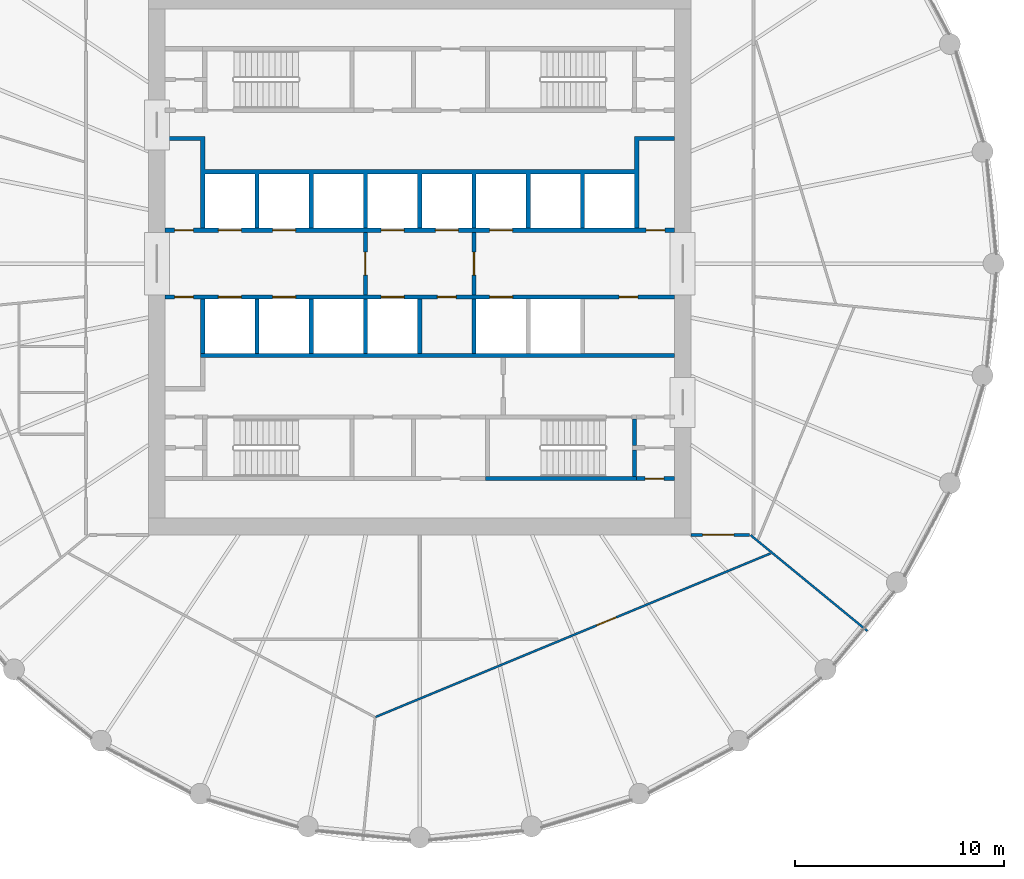
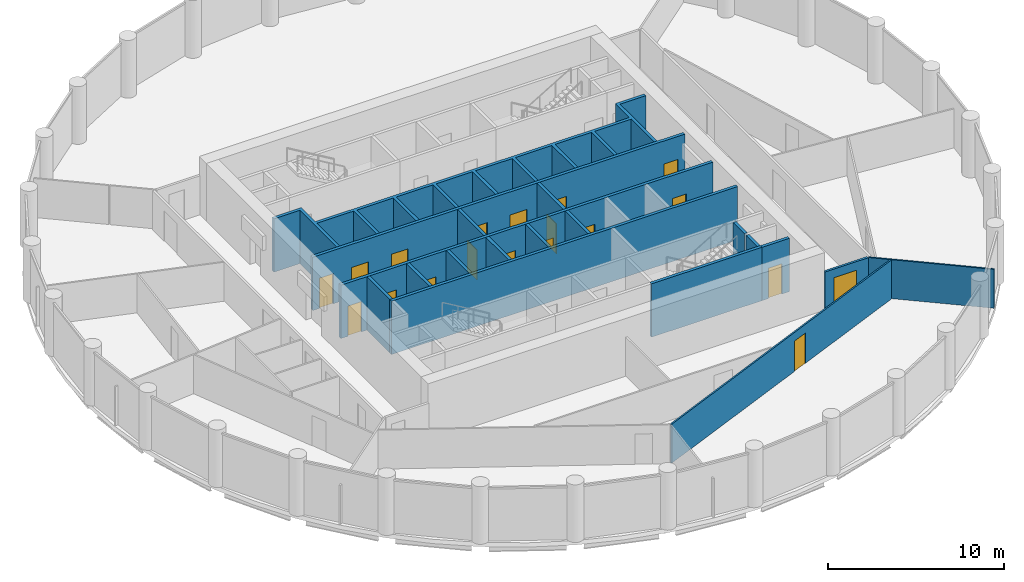
# One storey, part 5 of 8: 19 doors, 19 walls, 19 openings.
"""IFC4 building model written with IfcOpenShell, lengths in metres."""

import ifcopenshell
import ifcopenshell.guid

model = None  # the IFC model being written
_history = None  # IfcOwnerHistory: only IFC2X3 demands one
_inside = {}  # id of a spatial element -> (the spatial element, [elements in it])
_under = {}  # id of a project, library or spatial element -> (it, [spatial elements below it])
_declared = {}  # id of a project -> (the project, [libraries it declares])
_typed = {}  # id of a type object -> (the type object, [elements of that type])
_made_of = {}  # id of a material, layer set ... -> (it, [elements and type objects made of it])


def new_model(schema):
    """Start an empty IFC model of exactly this schema.

    Asked for "IFC4X3", IfcOpenShell would pick the latest addendum, in which some entities
    have other attributes; the version numbers below select the first issue.
    IFC2X3 requires an IfcOwnerHistory on every rooted entity: one is made here for all.
    """
    global model, _history
    if schema == "IFC4X3":
        model = ifcopenshell.file(schema_version=(4, 3, 0, 0))
    else:
        model = ifcopenshell.file(schema=schema)
    _inside.clear()
    _under.clear()
    _declared.clear()
    _typed.clear()
    _made_of.clear()
    _history = None
    if model.schema == "IFC2X3":
        org = make("IfcOrganization", Name="unknown")
        user = make(
            "IfcPersonAndOrganization",
            ThePerson=make("IfcPerson", FamilyName="unknown"),
            TheOrganization=org,
        )
        app = make(
            "IfcApplication",
            ApplicationDeveloper=org,
            Version="unknown",
            ApplicationFullName="unknown",
            ApplicationIdentifier="unknown",
        )
        _history = make(
            "IfcOwnerHistory",
            OwningUser=user,
            OwningApplication=app,
            ChangeAction="ADDED",
            CreationDate=0,
        )
    return model


def make(cls, **values):
    """One entity of the class cls with the attributes given. An attribute that is None is left unset."""
    return model.create_entity(
        cls, **{name: value for name, value in values.items() if value is not None}
    )


def rooted(cls, **values):
    """An entity with a GlobalId (a new one), such as an element, a storey or a relation."""
    return make(cls, GlobalId=ifcopenshell.guid.new(), OwnerHistory=_history, **values)


def si_unit(unit_type, name, prefix=None):
    """IfcSIUnit, for example si_unit("LENGTHUNIT", "METRE", prefix="MILLI")."""
    return make("IfcSIUnit", UnitType=unit_type, Prefix=prefix, Name=name)


def assignment(units):
    """IfcUnitAssignment: the units of a project."""
    return None if units is None else make("IfcUnitAssignment", Units=units)


def point(xyz):
    """IfcCartesianPoint."""
    return None if xyz is None else make("IfcCartesianPoint", Coordinates=xyz)


def direction(xyz):
    """IfcDirection."""
    return None if xyz is None else make("IfcDirection", DirectionRatios=xyz)


def frame(location, z_axis=None, x_axis=None):
    """IfcAxis2Placement3D, a coordinate frame: its origin and axes. An axis left out is left unset."""
    return make(
        "IfcAxis2Placement3D",
        Location=point(location),
        Axis=direction(z_axis),
        RefDirection=direction(x_axis),
    )


def frame_2d(location, x_axis=None):
    """IfcAxis2Placement2D, a coordinate frame in the plane: its origin and x axis."""
    return make(
        "IfcAxis2Placement2D", Location=point(location), RefDirection=direction(x_axis)
    )


def origin():
    """The frame at (0, 0, 0) with its axes left unset."""
    return frame((0.0, 0.0, 0.0))


def place(relative_to, where):
    """IfcLocalPlacement: puts the frame where relative to a parent placement (None: the world)."""
    return make(
        "IfcLocalPlacement", PlacementRelTo=relative_to, RelativePlacement=where
    )


def context(
    kind, dimensions, precision=None, world=None, true_north=None, identifier=None
):
    """IfcGeometricRepresentationContext, for example the 3D "Model" context."""
    return make(
        "IfcGeometricRepresentationContext",
        ContextIdentifier=identifier,
        ContextType=kind,
        CoordinateSpaceDimension=dimensions,
        Precision=precision,
        WorldCoordinateSystem=world,
        TrueNorth=true_north,
    )


def subcontext(parent, identifier, kind, view, scale=None):
    """IfcGeometricRepresentationSubContext, for example "Body" below "Model"."""
    return make(
        "IfcGeometricRepresentationSubContext",
        ContextIdentifier=identifier,
        ContextType=kind,
        ParentContext=parent,
        TargetScale=scale,
        TargetView=view,
    )


def project(units=None, contexts=None):
    """IfcProject with its units and contexts."""
    return rooted(
        "IfcProject",
        Name="project",
        RepresentationContexts=contexts,
        UnitsInContext=assignment(units),
    )


def spatial(cls, under=None, at=None, **own):
    """A site, building, storey or space (cls), placed at a placement, below another one or the project."""
    s = rooted(cls, ObjectPlacement=at, **own)
    if under is not None:
        _under.setdefault(under.id(), (under, []))[1].append(s)
    return s


def polyline(points):
    """IfcPolyline through the points."""
    return make("IfcPolyline", Points=[point(p) for p in points])


def profile(cls, at=None, kind="AREA", **sizes):
    """A parametric profile (cls). Its sizes go by their IFC names, for example OverallWidth=200.0."""
    return make(cls, ProfileType=kind, Position=at, **sizes)


def rectangle(**sizes):
    """IfcRectangleProfileDef."""
    return profile("IfcRectangleProfileDef", **sizes)


def outline(outer, holes=None, kind="AREA"):
    """IfcArbitraryClosedProfileDef: a profile drawn as a closed curve; with holes, ...WithVoids."""
    if holes is None:
        return make("IfcArbitraryClosedProfileDef", ProfileType=kind, OuterCurve=outer)
    return make(
        "IfcArbitraryProfileDefWithVoids",
        ProfileType=kind,
        OuterCurve=outer,
        InnerCurves=holes,
    )


def extrude(swept, where, along, depth):
    """IfcExtrudedAreaSolid: the profile swept, set in the frame where, extruded along a direction by depth."""
    return make(
        "IfcExtrudedAreaSolid",
        SweptArea=swept,
        Position=where,
        ExtrudedDirection=direction(along),
        Depth=depth,
    )


def shape(context_of_items, identifier, shape_type, items):
    """IfcShapeRepresentation: the items that make up one representation, for example the "Body"."""
    return make(
        "IfcShapeRepresentation",
        ContextOfItems=context_of_items,
        RepresentationIdentifier=identifier,
        RepresentationType=shape_type,
        Items=items,
    )


def material(Name=None, Category=None):
    """IfcMaterial."""
    return make("IfcMaterial", Name=Name, Category=Category)


def layer(
    of_material, thickness, ventilated=None, Name=None, Category=None, Priority=None
):
    """IfcMaterialLayer: one layer of a wall or slab, of a material (None: an air gap)."""
    return make(
        "IfcMaterialLayer",
        Material=of_material,
        LayerThickness=thickness,
        IsVentilated=ventilated,
        Name=Name,
        Category=Category,
        Priority=Priority,
    )


def layer_set(layers, Name=None):
    """IfcMaterialLayerSet."""
    return make("IfcMaterialLayerSet", MaterialLayers=layers, LayerSetName=Name)


def made_of(thing, what):
    """Note that an element or type object is made of a material, layer set ...; save() writes the relation."""
    if what is not None:
        _made_of.setdefault(what.id(), (what, []))[1].append(thing)
    return thing


def type_object(cls, material=None, **own):
    """A type object (cls), such as IfcWallType, which elements share."""
    return made_of(rooted(cls, **own), material)


def element(
    cls,
    number,
    at=None,
    inside=None,
    cuts=None,
    type_object=None,
    material=None,
    context=None,
    identifier="Body",
    shape_type=None,
    held_by="IfcProductDefinitionShape",
    body=None,
    shapes=None,
    **own,
):
    """One element of the class cls, such as IfcWall. Its Tag is "e" and its number.

    at: its placement. inside: the storey or other place that contains it. cuts: it is an
    opening in that element (IfcRelVoidsElement). A single representation is given by context,
    identifier, shape_type and body (its items); several are given by shapes. held_by: the class
    of the entity that holds the representations. save() writes the other relations.
    """
    e = rooted(cls, Tag="e%d" % number, ObjectPlacement=at, **own)
    if body is not None:
        shapes = [shape(context, identifier, shape_type, body)]
    if shapes is not None:
        e.Representation = make(held_by, Representations=shapes)
    if inside is not None:
        _inside.setdefault(inside.id(), (inside, []))[1].append(e)
    if cuts is not None:
        rooted(
            "IfcRelVoidsElement", RelatingBuildingElement=cuts, RelatedOpeningElement=e
        )
    if type_object is not None:
        _typed.setdefault(type_object.id(), (type_object, []))[1].append(e)
    return made_of(e, material)


def fill(opening, filler):
    """IfcRelFillsElement: the door or window that sits in an opening."""
    return rooted(
        "IfcRelFillsElement",
        RelatingOpeningElement=opening,
        RelatedBuildingElement=filler,
    )


def aggregate(whole, parts):
    """IfcRelAggregates: a whole, such as a stair, and the parts it consists of."""
    return rooted("IfcRelAggregates", RelatingObject=whole, RelatedObjects=parts)


def save(model, path):
    """Write the relations noted so far, then the file.

    IfcRelAggregates (storeys below a building ...), IfcRelContainedInSpatialStructure (elements
    in a storey), IfcRelDefinesByType, IfcRelAssociatesMaterial and IfcRelDeclares: one each for
    every whole, place, type object, material and project.
    """
    for whole, parts in _under.values():
        aggregate(whole, parts)
    for where, things in _inside.values():
        rooted(
            "IfcRelContainedInSpatialStructure",
            RelatedElements=things,
            RelatingStructure=where,
        )
    for kind, things in _typed.values():
        rooted("IfcRelDefinesByType", RelatedObjects=things, RelatingType=kind)
    for what, things in _made_of.values():
        rooted("IfcRelAssociatesMaterial", RelatedObjects=things, RelatingMaterial=what)
    for by, libraries in _declared.values():
        rooted("IfcRelDeclares", RelatingContext=by, RelatedDefinitions=libraries)
    model.write(path)


model = new_model("IFC4")

# Units and contexts
model_context = context("Model", 3, precision=1e-05, world=origin(), true_north=direction((0.0, 1.0)))
body_context = subcontext(model_context, "Body", "Model", "MODEL_VIEW")
ifc_project = project(units=[si_unit("LENGTHUNIT", "METRE"), si_unit("AREAUNIT", "SQUARE_METRE"), si_unit("VOLUMEUNIT", "CUBIC_METRE"), si_unit("PLANEANGLEUNIT", "RADIAN"), si_unit("MASSUNIT", "GRAM", prefix="KILO")], contexts=[model_context])

# Site, building, storey
site_placement = place(None, origin())
site = spatial("IfcSite", under=ifc_project, at=site_placement, CompositionType="ELEMENT")
building_placement = place(site_placement, origin())
building = spatial("IfcBuilding", under=site, at=building_placement, Name="Corvane Civic Tower", CompositionType="ELEMENT")
storey_placement = place(building_placement, frame((0.0, 0.0, 229.5)))
storey = spatial("IfcBuildingStorey", under=building, at=storey_placement, Name="L54", CompositionType="ELEMENT", Elevation=229.5)

# Wall, opening, door
ifc_material_1 = material(Name="Concrete C30/37", Category="concrete")
ifc_layer_1 = layer(ifc_material_1, 0.199951171875)
ifc_layer_set_1 = layer_set([ifc_layer_1], Name="Concrete C30/37")
wall_type_1 = type_object("IfcWallType", Name="CR-WALL-200", PredefinedType="PARTITIONING", material=ifc_layer_set_1)
wall_1_placement = place(storey_placement, frame((10.39990234375, -10.300048828125, 0.0), z_axis=(0.0, 0.0, 1.0), x_axis=(1.0, 0.0, 0.0)))
wall_1 = element("IfcWall", 1, at=wall_1_placement, inside=storey, type_object=wall_type_1, Name="L54 partition wall", PredefinedType="PARTITIONING", context=body_context, shape_type="SweptSolid", body=[
    extrude(rectangle(XDim=1.800048828125, YDim=0.199951171875, at=frame_2d((0.89990234375, 0.0))), origin(), (0.0, 0.0, 1.0), 3.699951171875),
])
opening_1_placement = place(wall_1_placement, frame((0.39990234375, 0.0, 0.0)))
opening_1 = element("IfcOpeningElement", 2, at=opening_1_placement, cuts=wall_1, Name="Opening L54.C21", PredefinedType="OPENING", context=body_context, shape_type="SweptSolid", body=[
    extrude(rectangle(XDim=0.89990234375, YDim=2.10009765625, at=frame_2d((0.449951171875, 1.050048828125))), frame((0.0, 0.10986328125, 0.0), z_axis=(0.0, -1.0, 0.0), x_axis=(1.0, 0.0, 0.0)), (0.0, 0.0, 1.0), 0.219970703125),
])
ifc_material_2 = material(Name="Steel fire door leaf", Category="steel")
door_type_1 = type_object("IfcDoorType", Name="CR-DOOR-900", OperationType="SINGLE_SWING_LEFT", PredefinedType="DOOR", material=ifc_material_2)
door_1_placement = place(opening_1_placement, origin())
door_1 = element("IfcDoor", 3, at=door_1_placement, inside=storey, type_object=door_type_1, Name="L54 door", OperationType="SINGLE_SWING_LEFT", OverallHeight=2.10009765625, OverallWidth=0.89990234375, PredefinedType="DOOR", context=body_context, shape_type="SweptSolid", body=[
    extrude(rectangle(XDim=0.89990234375, YDim=2.10009765625, at=frame_2d((0.449951171875, 1.050048828125))), frame((0.0, 0.02490234375, 0.0), z_axis=(0.0, -1.0, 0.0), x_axis=(1.0, 0.0, 0.0)), (0.0, 0.0, 1.0), 0.050048828125),
])
fill(opening_1, door_1)

# Wall, openings, doors
wall_2_placement = place(storey_placement, frame((-12.199951171875, -1.60009765625, 0.0), z_axis=(0.0, 0.0, 1.0), x_axis=(1.0, 0.0, 0.0)))
wall_2 = element("IfcWall", 4, at=wall_2_placement, inside=storey, type_object=wall_type_1, Name="L54 lift shaft wall", PredefinedType="PARTITIONING", context=body_context, shape_type="SweptSolid", body=[
    extrude(rectangle(XDim=24.39990234375, YDim=0.199951171875, at=frame_2d((12.199951171875, 0.0))), origin(), (0.0, 0.0, 1.0), 3.699951171875),
])
opening_2_placement = place(wall_2_placement, frame((2.550048828125, 0.0, 0.0)))
opening_2 = element("IfcOpeningElement", 5, at=opening_2_placement, cuts=wall_2, Name="Opening LD", PredefinedType="OPENING", context=body_context, shape_type="SweptSolid", body=[
    extrude(rectangle(XDim=1.10009765625, YDim=2.10009765625, at=frame_2d((0.550048828125, 1.050048828125))), frame((0.0, 0.10986328125, 0.0), z_axis=(0.0, -1.0, 0.0), x_axis=(1.0, 0.0, 0.0)), (0.0, 0.0, 1.0), 0.219970703125),
])
opening_3_placement = place(wall_2_placement, frame((5.14990234375, 0.0, 0.0)))
opening_3 = element("IfcOpeningElement", 6, at=opening_3_placement, cuts=wall_2, Name="Opening LD", PredefinedType="OPENING", context=body_context, shape_type="SweptSolid", body=[
    extrude(rectangle(XDim=1.10009765625, YDim=2.10009765625, at=frame_2d((0.550048828125, 1.050048828125))), frame((0.0, 0.10986328125, 0.0), z_axis=(0.0, -1.0, 0.0), x_axis=(1.0, 0.0, 0.0)), (0.0, 0.0, 1.0), 0.219970703125),
])
opening_4_placement = place(wall_2_placement, frame((10.35009765625, 0.0, 0.0)))
opening_4 = element("IfcOpeningElement", 7, at=opening_4_placement, cuts=wall_2, Name="Opening LD", PredefinedType="OPENING", context=body_context, shape_type="SweptSolid", body=[
    extrude(rectangle(XDim=1.10009765625, YDim=2.10009765625, at=frame_2d((0.550048828125, 1.050048828125))), frame((0.0, 0.10986328125, 0.0), z_axis=(0.0, -1.0, 0.0), x_axis=(1.0, 0.0, 0.0)), (0.0, 0.0, 1.0), 0.219970703125),
])
opening_5_placement = place(wall_2_placement, frame((13.050048828125, 0.0, 0.0)))
opening_5 = element("IfcOpeningElement", 8, at=opening_5_placement, cuts=wall_2, Name="Opening L54.C03", PredefinedType="OPENING", context=body_context, shape_type="SweptSolid", body=[
    extrude(rectangle(XDim=0.89990234375, YDim=2.10009765625, at=frame_2d((0.449951171875, 1.050048828125))), frame((0.0, 0.10986328125, 0.0), z_axis=(0.0, -1.0, 0.0), x_axis=(1.0, 0.0, 0.0)), (0.0, 0.0, 1.0), 0.219970703125),
])
opening_6_placement = place(wall_2_placement, frame((15.550048828125, 0.0, 0.0)))
opening_6 = element("IfcOpeningElement", 9, at=opening_6_placement, cuts=wall_2, Name="Opening LD", PredefinedType="OPENING", context=body_context, shape_type="SweptSolid", body=[
    extrude(rectangle(XDim=1.10009765625, YDim=2.10009765625, at=frame_2d((0.550048828125, 1.050048828125))), frame((0.0, 0.10986328125, 0.0), z_axis=(0.0, -1.0, 0.0), x_axis=(1.0, 0.0, 0.0)), (0.0, 0.0, 1.0), 0.219970703125),
])
opening_7_placement = place(wall_2_placement, frame((0.449951171875, 0.0, 0.0)))
opening_7 = element("IfcOpeningElement", 10, at=opening_7_placement, cuts=wall_2, Name="Opening L54.C04", PredefinedType="OPENING", context=body_context, shape_type="SweptSolid", body=[
    extrude(rectangle(XDim=0.89990234375, YDim=2.10009765625, at=frame_2d((0.449951171875, 1.050048828125))), frame((0.0, 0.10986328125, 0.0), z_axis=(0.0, -1.0, 0.0), x_axis=(1.0, 0.0, 0.0)), (0.0, 0.0, 1.0), 0.219970703125),
])
opening_8_placement = place(wall_2_placement, frame((21.75, 0.0, 0.0)))
opening_8 = element("IfcOpeningElement", 11, at=opening_8_placement, cuts=wall_2, Name="Opening L54.C05", PredefinedType="OPENING", context=body_context, shape_type="SweptSolid", body=[
    extrude(rectangle(XDim=0.89990234375, YDim=2.10009765625, at=frame_2d((0.449951171875, 1.050048828125))), frame((0.0, 0.10986328125, 0.0), z_axis=(0.0, -1.0, 0.0), x_axis=(1.0, 0.0, 0.0)), (0.0, 0.0, 1.0), 0.219970703125),
])
door_2_placement = place(opening_5_placement, origin())
door_2 = element("IfcDoor", 12, at=door_2_placement, inside=storey, type_object=door_type_1, Name="L54 door", OperationType="SINGLE_SWING_LEFT", OverallHeight=2.10009765625, OverallWidth=0.89990234375, PredefinedType="DOOR", context=body_context, shape_type="SweptSolid", body=[
    extrude(rectangle(XDim=0.89990234375, YDim=2.10009765625, at=frame_2d((0.449951171875, 1.050048828125))), frame((0.0, 0.02490234375, 0.0), z_axis=(0.0, -1.0, 0.0), x_axis=(1.0, 0.0, 0.0)), (0.0, 0.0, 1.0), 0.050048828125),
])
fill(opening_5, door_2)
door_3_placement = place(opening_7_placement, origin())
door_3 = element("IfcDoor", 13, at=door_3_placement, inside=storey, type_object=door_type_1, Name="L54 door", OperationType="SINGLE_SWING_LEFT", OverallHeight=2.10009765625, OverallWidth=0.89990234375, PredefinedType="DOOR", context=body_context, shape_type="SweptSolid", body=[
    extrude(rectangle(XDim=0.89990234375, YDim=2.10009765625, at=frame_2d((0.449951171875, 1.050048828125))), frame((0.0, 0.02490234375, 0.0), z_axis=(0.0, -1.0, 0.0), x_axis=(1.0, 0.0, 0.0)), (0.0, 0.0, 1.0), 0.050048828125),
])
fill(opening_7, door_3)
door_4_placement = place(opening_8_placement, origin())
door_4 = element("IfcDoor", 14, at=door_4_placement, inside=storey, type_object=door_type_1, Name="L54 door", OperationType="SINGLE_SWING_LEFT", OverallHeight=2.10009765625, OverallWidth=0.89990234375, PredefinedType="DOOR", context=body_context, shape_type="SweptSolid", body=[
    extrude(rectangle(XDim=0.89990234375, YDim=2.10009765625, at=frame_2d((0.449951171875, 1.050048828125))), frame((0.0, 0.02490234375, 0.0), z_axis=(0.0, -1.0, 0.0), x_axis=(1.0, 0.0, 0.0)), (0.0, 0.0, 1.0), 0.050048828125),
])
fill(opening_8, door_4)
ifc_material_3 = material(Name="Stainless steel 316 door leaves", Category="steel")
door_type_2 = type_object("IfcDoorType", Name="LD", OperationType="DOUBLE_DOOR_SLIDING", PredefinedType="DOOR", material=ifc_material_3)
door_5_placement = place(opening_2_placement, origin())
door_5 = element("IfcDoor", 15, at=door_5_placement, inside=storey, type_object=door_type_2, Name="L54 landing door", OperationType="DOUBLE_DOOR_SLIDING", OverallHeight=2.10009765625, OverallWidth=1.10009765625, PredefinedType="DOOR", context=body_context, shape_type="SweptSolid", body=[
    extrude(rectangle(XDim=1.10009765625, YDim=2.10009765625, at=frame_2d((0.550048828125, 1.050048828125))), frame((0.0, 0.02490234375, 0.0), z_axis=(0.0, -1.0, 0.0), x_axis=(1.0, 0.0, 0.0)), (0.0, 0.0, 1.0), 0.050048828125),
])
fill(opening_2, door_5)
door_6_placement = place(opening_3_placement, origin())
door_6 = element("IfcDoor", 16, at=door_6_placement, inside=storey, type_object=door_type_2, Name="L54 landing door", OperationType="DOUBLE_DOOR_SLIDING", OverallHeight=2.10009765625, OverallWidth=1.10009765625, PredefinedType="DOOR", context=body_context, shape_type="SweptSolid", body=[
    extrude(rectangle(XDim=1.10009765625, YDim=2.10009765625, at=frame_2d((0.550048828125, 1.050048828125))), frame((0.0, 0.02490234375, 0.0), z_axis=(0.0, -1.0, 0.0), x_axis=(1.0, 0.0, 0.0)), (0.0, 0.0, 1.0), 0.050048828125),
])
fill(opening_3, door_6)
door_7_placement = place(opening_4_placement, origin())
door_7 = element("IfcDoor", 17, at=door_7_placement, inside=storey, type_object=door_type_2, Name="L54 landing door", OperationType="DOUBLE_DOOR_SLIDING", OverallHeight=2.10009765625, OverallWidth=1.10009765625, PredefinedType="DOOR", context=body_context, shape_type="SweptSolid", body=[
    extrude(rectangle(XDim=1.10009765625, YDim=2.10009765625, at=frame_2d((0.550048828125, 1.050048828125))), frame((0.0, 0.02490234375, 0.0), z_axis=(0.0, -1.0, 0.0), x_axis=(1.0, 0.0, 0.0)), (0.0, 0.0, 1.0), 0.050048828125),
])
fill(opening_4, door_7)
door_8_placement = place(opening_6_placement, origin())
door_8 = element("IfcDoor", 18, at=door_8_placement, inside=storey, type_object=door_type_2, Name="L54 landing door", OperationType="DOUBLE_DOOR_SLIDING", OverallHeight=2.10009765625, OverallWidth=1.10009765625, PredefinedType="DOOR", context=body_context, shape_type="SweptSolid", body=[
    extrude(rectangle(XDim=1.10009765625, YDim=2.10009765625, at=frame_2d((0.550048828125, 1.050048828125))), frame((0.0, 0.02490234375, 0.0), z_axis=(0.0, -1.0, 0.0), x_axis=(1.0, 0.0, 0.0)), (0.0, 0.0, 1.0), 0.050048828125),
])
fill(opening_6, door_8)

wall_3_placement = place(storey_placement, frame((-12.199951171875, 1.60009765625, 0.0), z_axis=(0.0, 0.0, 1.0), x_axis=(1.0, 0.0, 0.0)))
wall_3 = element("IfcWall", 19, at=wall_3_placement, inside=storey, type_object=wall_type_1, Name="L54 lift shaft wall", PredefinedType="PARTITIONING", context=body_context, shape_type="SweptSolid", body=[
    extrude(rectangle(XDim=24.39990234375, YDim=0.199951171875, at=frame_2d((12.199951171875, 0.0))), origin(), (0.0, 0.0, 1.0), 3.699951171875),
])
opening_9_placement = place(wall_3_placement, frame((2.550048828125, 0.0, 0.0)))
opening_9 = element("IfcOpeningElement", 20, at=opening_9_placement, cuts=wall_3, Name="Opening LD", PredefinedType="OPENING", context=body_context, shape_type="SweptSolid", body=[
    extrude(rectangle(XDim=1.10009765625, YDim=2.10009765625, at=frame_2d((0.550048828125, 1.050048828125))), frame((0.0, 0.10986328125, 0.0), z_axis=(0.0, -1.0, 0.0), x_axis=(1.0, 0.0, 0.0)), (0.0, 0.0, 1.0), 0.219970703125),
])
opening_10_placement = place(wall_3_placement, frame((5.14990234375, 0.0, 0.0)))
opening_10 = element("IfcOpeningElement", 21, at=opening_10_placement, cuts=wall_3, Name="Opening LD", PredefinedType="OPENING", context=body_context, shape_type="SweptSolid", body=[
    extrude(rectangle(XDim=1.10009765625, YDim=2.10009765625, at=frame_2d((0.550048828125, 1.050048828125))), frame((0.0, 0.10986328125, 0.0), z_axis=(0.0, -1.0, 0.0), x_axis=(1.0, 0.0, 0.0)), (0.0, 0.0, 1.0), 0.219970703125),
])
opening_11_placement = place(wall_3_placement, frame((10.35009765625, 0.0, 0.0)))
opening_11 = element("IfcOpeningElement", 22, at=opening_11_placement, cuts=wall_3, Name="Opening LD", PredefinedType="OPENING", context=body_context, shape_type="SweptSolid", body=[
    extrude(rectangle(XDim=1.10009765625, YDim=2.10009765625, at=frame_2d((0.550048828125, 1.050048828125))), frame((0.0, 0.10986328125, 0.0), z_axis=(0.0, -1.0, 0.0), x_axis=(1.0, 0.0, 0.0)), (0.0, 0.0, 1.0), 0.219970703125),
])
opening_12_placement = place(wall_3_placement, frame((12.949951171875, 0.0, 0.0)))
opening_12 = element("IfcOpeningElement", 23, at=opening_12_placement, cuts=wall_3, Name="Opening LD", PredefinedType="OPENING", context=body_context, shape_type="SweptSolid", body=[
    extrude(rectangle(XDim=1.10009765625, YDim=2.10009765625, at=frame_2d((0.550048828125, 1.050048828125))), frame((0.0, 0.10986328125, 0.0), z_axis=(0.0, -1.0, 0.0), x_axis=(1.0, 0.0, 0.0)), (0.0, 0.0, 1.0), 0.219970703125),
])
opening_13_placement = place(wall_3_placement, frame((15.550048828125, 0.0, 0.0)))
opening_13 = element("IfcOpeningElement", 24, at=opening_13_placement, cuts=wall_3, Name="Opening LD", PredefinedType="OPENING", context=body_context, shape_type="SweptSolid", body=[
    extrude(rectangle(XDim=1.10009765625, YDim=2.10009765625, at=frame_2d((0.550048828125, 1.050048828125))), frame((0.0, 0.10986328125, 0.0), z_axis=(0.0, -1.0, 0.0), x_axis=(1.0, 0.0, 0.0)), (0.0, 0.0, 1.0), 0.219970703125),
])
opening_14_placement = place(wall_3_placement, frame((0.449951171875, 0.0, 0.0)))
opening_14 = element("IfcOpeningElement", 25, at=opening_14_placement, cuts=wall_3, Name="Opening L54.C01", PredefinedType="OPENING", context=body_context, shape_type="SweptSolid", body=[
    extrude(rectangle(XDim=0.89990234375, YDim=2.10009765625, at=frame_2d((0.449951171875, 1.050048828125))), frame((0.0, 0.10986328125, 0.0), z_axis=(0.0, -1.0, 0.0), x_axis=(1.0, 0.0, 0.0)), (0.0, 0.0, 1.0), 0.219970703125),
])
opening_15_placement = place(wall_3_placement, frame((23.050048828125, 0.0, 0.0)))
opening_15 = element("IfcOpeningElement", 26, at=opening_15_placement, cuts=wall_3, Name="Opening L54.C02", PredefinedType="OPENING", context=body_context, shape_type="SweptSolid", body=[
    extrude(rectangle(XDim=0.89990234375, YDim=2.10009765625, at=frame_2d((0.449951171875, 1.050048828125))), frame((0.0, 0.10986328125, 0.0), z_axis=(0.0, -1.0, 0.0), x_axis=(1.0, 0.0, 0.0)), (0.0, 0.0, 1.0), 0.219970703125),
])
door_9_placement = place(opening_14_placement, origin())
door_9 = element("IfcDoor", 27, at=door_9_placement, inside=storey, type_object=door_type_1, Name="L54 door", OperationType="SINGLE_SWING_LEFT", OverallHeight=2.10009765625, OverallWidth=0.89990234375, PredefinedType="DOOR", context=body_context, shape_type="SweptSolid", body=[
    extrude(rectangle(XDim=0.89990234375, YDim=2.10009765625, at=frame_2d((0.449951171875, 1.050048828125))), frame((0.0, 0.02490234375, 0.0), z_axis=(0.0, -1.0, 0.0), x_axis=(1.0, 0.0, 0.0)), (0.0, 0.0, 1.0), 0.050048828125),
])
fill(opening_14, door_9)
door_10_placement = place(opening_15_placement, origin())
door_10 = element("IfcDoor", 28, at=door_10_placement, inside=storey, type_object=door_type_1, Name="L54 door", OperationType="SINGLE_SWING_LEFT", OverallHeight=2.10009765625, OverallWidth=0.89990234375, PredefinedType="DOOR", context=body_context, shape_type="SweptSolid", body=[
    extrude(rectangle(XDim=0.89990234375, YDim=2.10009765625, at=frame_2d((0.449951171875, 1.050048828125))), frame((0.0, 0.02490234375, 0.0), z_axis=(0.0, -1.0, 0.0), x_axis=(1.0, 0.0, 0.0)), (0.0, 0.0, 1.0), 0.050048828125),
])
fill(opening_15, door_10)
door_11_placement = place(opening_9_placement, origin())
door_11 = element("IfcDoor", 29, at=door_11_placement, inside=storey, type_object=door_type_2, Name="L54 landing door", OperationType="DOUBLE_DOOR_SLIDING", OverallHeight=2.10009765625, OverallWidth=1.10009765625, PredefinedType="DOOR", context=body_context, shape_type="SweptSolid", body=[
    extrude(rectangle(XDim=1.10009765625, YDim=2.10009765625, at=frame_2d((0.550048828125, 1.050048828125))), frame((0.0, 0.02490234375, 0.0), z_axis=(0.0, -1.0, 0.0), x_axis=(1.0, 0.0, 0.0)), (0.0, 0.0, 1.0), 0.050048828125),
])
fill(opening_9, door_11)
door_12_placement = place(opening_10_placement, origin())
door_12 = element("IfcDoor", 30, at=door_12_placement, inside=storey, type_object=door_type_2, Name="L54 landing door", OperationType="DOUBLE_DOOR_SLIDING", OverallHeight=2.10009765625, OverallWidth=1.10009765625, PredefinedType="DOOR", context=body_context, shape_type="SweptSolid", body=[
    extrude(rectangle(XDim=1.10009765625, YDim=2.10009765625, at=frame_2d((0.550048828125, 1.050048828125))), frame((0.0, 0.02490234375, 0.0), z_axis=(0.0, -1.0, 0.0), x_axis=(1.0, 0.0, 0.0)), (0.0, 0.0, 1.0), 0.050048828125),
])
fill(opening_10, door_12)
door_13_placement = place(opening_11_placement, origin())
door_13 = element("IfcDoor", 31, at=door_13_placement, inside=storey, type_object=door_type_2, Name="L54 landing door", OperationType="DOUBLE_DOOR_SLIDING", OverallHeight=2.10009765625, OverallWidth=1.10009765625, PredefinedType="DOOR", context=body_context, shape_type="SweptSolid", body=[
    extrude(rectangle(XDim=1.10009765625, YDim=2.10009765625, at=frame_2d((0.550048828125, 1.050048828125))), frame((0.0, 0.02490234375, 0.0), z_axis=(0.0, -1.0, 0.0), x_axis=(1.0, 0.0, 0.0)), (0.0, 0.0, 1.0), 0.050048828125),
])
fill(opening_11, door_13)
door_14_placement = place(opening_12_placement, origin())
door_14 = element("IfcDoor", 32, at=door_14_placement, inside=storey, type_object=door_type_2, Name="L54 landing door", OperationType="DOUBLE_DOOR_SLIDING", OverallHeight=2.10009765625, OverallWidth=1.10009765625, PredefinedType="DOOR", context=body_context, shape_type="SweptSolid", body=[
    extrude(rectangle(XDim=1.10009765625, YDim=2.10009765625, at=frame_2d((0.550048828125, 1.050048828125))), frame((0.0, 0.02490234375, 0.0), z_axis=(0.0, -1.0, 0.0), x_axis=(1.0, 0.0, 0.0)), (0.0, 0.0, 1.0), 0.050048828125),
])
fill(opening_12, door_14)
door_15_placement = place(opening_13_placement, origin())
door_15 = element("IfcDoor", 33, at=door_15_placement, inside=storey, type_object=door_type_2, Name="L54 landing door", OperationType="DOUBLE_DOOR_SLIDING", OverallHeight=2.10009765625, OverallWidth=1.10009765625, PredefinedType="DOOR", context=body_context, shape_type="SweptSolid", body=[
    extrude(rectangle(XDim=1.10009765625, YDim=2.10009765625, at=frame_2d((0.550048828125, 1.050048828125))), frame((0.0, 0.02490234375, 0.0), z_axis=(0.0, -1.0, 0.0), x_axis=(1.0, 0.0, 0.0)), (0.0, 0.0, 1.0), 0.050048828125),
])
fill(opening_13, door_15)

# Wall, opening, door
wall_4_placement = place(storey_placement, frame((-2.60009765625, -1.5, 0.0), z_axis=(0.0, 0.0, 1.0), x_axis=(0.0, 1.0, 0.0)))
wall_4 = element("IfcWall", 34, at=wall_4_placement, inside=storey, type_object=wall_type_1, Name="L54 firefighting lobby wall", PredefinedType="PARTITIONING", context=body_context, shape_type="SweptSolid", body=[
    extrude(rectangle(XDim=3.0, YDim=0.199951171875, at=frame_2d((1.5, 0.0))), origin(), (0.0, 0.0, 1.0), 3.699951171875),
])
opening_16_placement = place(wall_4_placement, frame((0.949951171875, 0.0, 0.0)))
opening_16 = element("IfcOpeningElement", 35, at=opening_16_placement, cuts=wall_4, Name="Opening L54.C26", PredefinedType="OPENING", context=body_context, shape_type="SweptSolid", body=[
    extrude(rectangle(XDim=1.10009765625, YDim=2.10009765625, at=frame_2d((0.550048828125, 1.050048828125))), frame((0.0, 0.10986328125, 0.0), z_axis=(0.0, -1.0, 0.0), x_axis=(1.0, 0.0, 0.0)), (0.0, 0.0, 1.0), 0.219970703125),
])
ifc_material_4 = material(Name="Steel fire door leaf", Category="steel")
door_type_3 = type_object("IfcDoorType", Name="CR-DOOR-FFL-1100", OperationType="SINGLE_SWING_LEFT", PredefinedType="DOOR", material=ifc_material_4)
door_16_placement = place(opening_16_placement, origin())
door_16 = element("IfcDoor", 36, at=door_16_placement, inside=storey, type_object=door_type_3, Name="L54 lobby door", OperationType="SINGLE_SWING_LEFT", OverallHeight=2.10009765625, OverallWidth=1.10009765625, PredefinedType="DOOR", context=body_context, shape_type="SweptSolid", body=[
    extrude(rectangle(XDim=1.10009765625, YDim=2.10009765625, at=frame_2d((0.550048828125, 1.050048828125))), frame((0.0, 0.02490234375, 0.0), z_axis=(0.0, -1.0, 0.0), x_axis=(1.0, 0.0, 0.0)), (0.0, 0.0, 1.0), 0.050048828125),
])
fill(opening_16, door_16)

wall_5_placement = place(storey_placement, frame((2.60009765625, -1.5, 0.0), z_axis=(0.0, 0.0, 1.0), x_axis=(0.0, 1.0, 0.0)))
wall_5 = element("IfcWall", 37, at=wall_5_placement, inside=storey, type_object=wall_type_1, Name="L54 firefighting lobby wall", PredefinedType="PARTITIONING", context=body_context, shape_type="SweptSolid", body=[
    extrude(rectangle(XDim=3.0, YDim=0.199951171875, at=frame_2d((1.5, 0.0))), origin(), (0.0, 0.0, 1.0), 3.699951171875),
])
opening_17_placement = place(wall_5_placement, frame((0.949951171875, 0.0, 0.0)))
opening_17 = element("IfcOpeningElement", 38, at=opening_17_placement, cuts=wall_5, Name="Opening L54.C27", PredefinedType="OPENING", context=body_context, shape_type="SweptSolid", body=[
    extrude(rectangle(XDim=1.10009765625, YDim=2.10009765625, at=frame_2d((0.550048828125, 1.050048828125))), frame((0.0, 0.10986328125, 0.0), z_axis=(0.0, -1.0, 0.0), x_axis=(1.0, 0.0, 0.0)), (0.0, 0.0, 1.0), 0.219970703125),
])
door_17_placement = place(opening_17_placement, origin())
door_17 = element("IfcDoor", 39, at=door_17_placement, inside=storey, type_object=door_type_3, Name="L54 lobby door", OperationType="SINGLE_SWING_LEFT", OverallHeight=2.10009765625, OverallWidth=1.10009765625, PredefinedType="DOOR", context=body_context, shape_type="SweptSolid", body=[
    extrude(rectangle(XDim=1.10009765625, YDim=2.10009765625, at=frame_2d((0.550048828125, 1.050048828125))), frame((0.0, 0.02490234375, 0.0), z_axis=(0.0, -1.0, 0.0), x_axis=(1.0, 0.0, 0.0)), (0.0, 0.0, 1.0), 0.050048828125),
])
fill(opening_17, door_17)

# Walls
wall_6_placement = place(storey_placement, origin())
element("IfcWall", 40, at=wall_6_placement, inside=storey, type_object=wall_type_1, Name="L54 core partition wall", PredefinedType="PARTITIONING", context=body_context, shape_type="SweptSolid", body=[
    extrude(outline(polyline([(12.199951171875, -4.300048828125), (12.199951171875, -4.5), (-10.5, -4.5), (-10.5, -4.300048828125), (12.199951171875, -4.300048828125)])), origin(), (0.0, 0.0, 1.0), 3.699951171875),
])
wall_7_placement = place(storey_placement, origin())
element("IfcWall", 41, at=wall_7_placement, inside=storey, type_object=wall_type_1, Name="L54 core partition wall", PredefinedType="PARTITIONING", context=body_context, shape_type="SweptSolid", body=[
    extrude(outline(polyline([(-2.5, -1.699951171875), (-2.5, -4.2998046875), (-2.699951171875, -4.2998046875), (-2.699951171875, -1.699951171875), (-2.5, -1.699951171875)])), origin(), (0.0, 0.0, 1.0), 3.699951171875),
])
wall_8_placement = place(storey_placement, origin())
element("IfcWall", 42, at=wall_8_placement, inside=storey, type_object=wall_type_1, Name="L54 core partition wall", PredefinedType="PARTITIONING", context=body_context, shape_type="SweptSolid", body=[
    extrude(outline(polyline([(2.699951171875, -1.699951171875), (2.699951171875, -4.2998046875), (2.5, -4.2998046875), (2.5, -1.699951171875), (2.699951171875, -1.699951171875)])), origin(), (0.0, 0.0, 1.0), 3.699951171875),
])
wall_9_placement = place(storey_placement, origin())
element("IfcWall", 43, at=wall_9_placement, inside=storey, type_object=wall_type_1, Name="L54 core partition wall", PredefinedType="PARTITIONING", context=body_context, shape_type="SweptSolid", body=[
    extrude(outline(polyline([(0.10009765625, -1.699951171875), (0.10009765625, -4.2998046875), (-0.10009765625, -4.2998046875), (-0.10009765625, -1.699951171875), (0.10009765625, -1.699951171875)])), origin(), (0.0, 0.0, 1.0), 3.699951171875),
])
wall_10_placement = place(storey_placement, origin())
element("IfcWall", 44, at=wall_10_placement, inside=storey, type_object=wall_type_1, Name="L54 core partition wall", PredefinedType="PARTITIONING", context=body_context, shape_type="SweptSolid", body=[
    extrude(outline(polyline([(-10.300048828125, -1.699951171875), (-10.300048828125, -4.2998046875), (-10.5, -4.2998046875), (-10.5, -1.699951171875), (-10.300048828125, -1.699951171875)])), origin(), (0.0, 0.0, 1.0), 3.699951171875),
])
wall_11_placement = place(storey_placement, origin())
element("IfcWall", 45, at=wall_11_placement, inside=storey, type_object=wall_type_1, Name="L54 core partition wall", PredefinedType="PARTITIONING", context=body_context, shape_type="SweptSolid", body=[
    extrude(outline(polyline([(-7.699951171875, -1.699951171875), (-7.699951171875, -4.2998046875), (-7.89990234375, -4.2998046875), (-7.89990234375, -1.699951171875), (-7.699951171875, -1.699951171875)])), origin(), (0.0, 0.0, 1.0), 3.699951171875),
])
wall_12_placement = place(storey_placement, origin())
element("IfcWall", 46, at=wall_12_placement, inside=storey, type_object=wall_type_1, Name="L54 core partition wall", PredefinedType="PARTITIONING", context=body_context, shape_type="SweptSolid", body=[
    extrude(outline(polyline([(-5.10009765625, -1.699951171875), (-5.10009765625, -4.2998046875), (-5.300048828125, -4.2998046875), (-5.300048828125, -1.699951171875), (-5.10009765625, -1.699951171875)])), origin(), (0.0, 0.0, 1.0), 3.699951171875),
])
wall_13_placement = place(storey_placement, origin())
element("IfcWall", 47, at=wall_13_placement, inside=storey, type_object=wall_type_1, Name="L54 core partition wall", PredefinedType="PARTITIONING", context=body_context, shape_type="SweptSolid", body=[
    extrude(outline(polyline([(-10.300048828125, 1.699951171875), (-10.5, 1.699951171875), (-10.5, 5.89990234375), (-12.199951171875, 5.89990234375), (-12.199951171875, 6.10009765625), (-10.300048828125, 6.10009765625), (-10.300048828125, 4.5), (10.300048828125, 4.5), (10.300048828125, 6.10009765625), (12.199951171875, 6.10009765625), (12.199951171875, 5.89990234375), (10.5, 5.89990234375), (10.5, 1.699951171875), (10.300048828125, 1.699951171875), (10.300048828125, 4.300048828125), (7.89990234375, 4.300048828125), (7.89990234375, 1.699951171875), (7.699951171875, 1.699951171875), (7.699951171875, 4.300048828125), (5.300048828125, 4.300048828125), (5.300048828125, 1.699951171875), (5.10009765625, 1.699951171875), (5.10009765625, 4.300048828125), (2.699951171875, 4.300048828125), (2.699951171875, 1.699951171875), (2.5, 1.699951171875), (2.5, 4.300048828125), (0.10009765625, 4.300048828125), (0.10009765625, 1.699951171875), (-0.10009765625, 1.699951171875), (-0.10009765625, 4.300048828125), (-2.5, 4.300048828125), (-2.5, 1.699951171875), (-2.699951171875, 1.699951171875), (-2.699951171875, 4.300048828125), (-5.10009765625, 4.300048828125), (-5.10009765625, 1.699951171875), (-5.300048828125, 1.699951171875), (-5.300048828125, 4.300048828125), (-7.699951171875, 4.300048828125), (-7.699951171875, 1.699951171875), (-7.89990234375, 1.699951171875), (-7.89990234375, 4.300048828125), (-10.300048828125, 4.300048828125), (-10.300048828125, 1.699951171875)])), origin(), (0.0, 0.0, 1.0), 3.699951171875),
])

# Wall, opening, door
ifc_material_5 = material(Name="Plasterboard")
ifc_layer_2 = layer(ifc_material_5, 0.10009765625)
ifc_layer_set_2 = layer_set([ifc_layer_2], Name="Plasterboard")
wall_type_2 = type_object("IfcWallType", Name="Partition 100 plasterboard on studs", PredefinedType="PARTITIONING", material=ifc_layer_set_2)
wall_14_placement = place(storey_placement, frame((-2.11328125, -21.726318359375, 0.0), z_axis=(0.0, 0.0, 1.0), x_axis=(0.923879386252, 0.382683785467, 0.0)))
wall_14 = element("IfcWall", 48, at=wall_14_placement, inside=storey, type_object=wall_type_2, Name="Partition L54.002", PredefinedType="PARTITIONING", context=body_context, shape_type="SweptSolid", body=[
    extrude(rectangle(XDim=20.47998046875, YDim=0.10009765625, at=frame_2d((10.239990234375, 0.0))), origin(), (0.0, 0.0, 1.0), 2.699951171875),
])
opening_18_placement = place(wall_14_placement, frame((11.467529296875, 0.0, 0.0)))
opening_18 = element("IfcOpeningElement", 49, at=opening_18_placement, cuts=wall_14, Name="Opening L54.002", PredefinedType="OPENING", context=body_context, shape_type="SweptSolid", body=[
    extrude(rectangle(XDim=1.0, YDim=2.10009765625, at=frame_2d((0.5, 1.050048828125))), frame((0.0, 0.06005859375, 0.0), z_axis=(0.0, -1.0, 0.0), x_axis=(1.0, 0.0, 0.0)), (0.0, 0.0, 1.0), 0.1201171875),
])
ifc_material_6 = material(Name="Timber", Category="wood")
door_type_4 = type_object("IfcDoorType", Name="Single door 1000", OperationType="NOTDEFINED", PredefinedType="DOOR", material=ifc_material_6)
door_18_placement = place(opening_18_placement, frame((1.0, 0.0, 0.0), z_axis=(0.0, 0.0, 1.0), x_axis=(-1.0, 0.0, 0.0)))
door_18 = element("IfcDoor", 50, at=door_18_placement, inside=storey, type_object=door_type_4, Name="Door L54.002", OperationType="SINGLE_SWING_RIGHT", OverallHeight=2.10009765625, OverallWidth=1.0, PredefinedType="DOOR", context=body_context, shape_type="SweptSolid", body=[
    extrude(rectangle(XDim=1.0, YDim=2.10009765625, at=frame_2d((0.5, 1.050048828125))), frame((0.0, 0.02490234375, 0.0), z_axis=(0.0, -1.0, 0.0), x_axis=(1.0, 0.0, 0.0)), (0.0, 0.0, 1.0), 0.050048828125),
])
fill(opening_18, door_18)

# Walls
wall_15_placement = place(storey_placement, frame((15.8544921875, -13.01123046875, 0.0), z_axis=(0.0, 0.0, 1.0), x_axis=(0.772997895748, -0.634408585352, 0.0)))
element("IfcWall", 51, at=wall_15_placement, inside=storey, type_object=wall_type_2, Name="Partition L54.007", PredefinedType="PARTITIONING", context=body_context, shape_type="SweptSolid", body=[
    extrude(rectangle(XDim=7.240234375, YDim=0.10009765625, at=frame_2d((3.6201171875, 0.0))), origin(), (0.0, 0.0, 1.0), 2.699951171875),
])
ifc_material_7 = material(Name="Concrete C50/60", Category="concrete")
ifc_layer_3 = layer(ifc_material_7, 0.199951171875)
ifc_layer_set_3 = layer_set([ifc_layer_3], Name="Concrete C50/60")
wall_type_3 = type_object("IfcWallType", Name="ST-WALL-200", PredefinedType="SHEAR", material=ifc_layer_set_3)
wall_16_placement = place(storey_placement, origin())
element("IfcWall", 52, at=wall_16_placement, inside=storey, type_object=wall_type_3, Name="L54 stair enclosure wall", PredefinedType="SHEAR", context=body_context, shape_type="SweptSolid", body=[
    extrude(outline(polyline([(10.39990234375, -10.39990234375), (3.14990234375, -10.39990234375), (3.14990234375, -10.199951171875), (10.39990234375, -10.199951171875), (10.39990234375, -10.39990234375)])), origin(), (0.0, 0.0, 1.0), 3.699951171875),
])
wall_17_placement = place(storey_placement, origin())
element("IfcWall", 53, at=wall_17_placement, inside=storey, type_object=wall_type_3, Name="L54 stair enclosure wall", PredefinedType="SHEAR", context=body_context, shape_type="SweptSolid", body=[
    extrude(outline(polyline([(10.39990234375, -7.449951171875), (10.39990234375, -8.72509765625), (10.199951171875, -8.72509765625), (10.199951171875, -7.449951171875), (10.39990234375, -7.449951171875)])), origin(), (0.0, 0.0, 1.0), 3.699951171875),
])
wall_18_placement = place(storey_placement, origin())
element("IfcWall", 54, at=wall_18_placement, inside=storey, type_object=wall_type_3, Name="L54 stair enclosure wall", PredefinedType="SHEAR", context=body_context, shape_type="SweptSolid", body=[
    extrude(outline(polyline([(10.39990234375, -8.925048828125), (10.39990234375, -10.199951171875), (10.199951171875, -10.199951171875), (10.199951171875, -8.925048828125), (10.39990234375, -8.925048828125)])), origin(), (0.0, 0.0, 1.0), 3.699951171875),
])

# Wall, opening, door
ifc_material_8 = material(Name="Plasterboard")
ifc_layer_4 = layer(ifc_material_8, 0.14990234375)
ifc_layer_set_4 = layer_set([ifc_layer_4], Name="Plasterboard")
wall_type_4 = type_object("IfcWallType", Name="Tenancy wall 150 EI 60", PredefinedType="PARTITIONING", material=ifc_layer_set_4)
wall_19_placement = place(storey_placement, frame((12.989990234375, -13.0, 0.0), z_axis=(0.0, 0.0, 1.0), x_axis=(1.0, 0.0, 0.0)))
wall_19 = element("IfcWall", 55, at=wall_19_placement, inside=storey, type_object=wall_type_4, Name="Partition L54.012", PredefinedType="PARTITIONING", context=body_context, shape_type="SweptSolid", body=[
    extrude(rectangle(XDim=2.82373046875, YDim=0.14990234375, at=frame_2d((1.411865234375, 0.0))), origin(), (0.0, 0.0, 1.0), 2.699951171875),
])
opening_19_placement = place(wall_19_placement, frame((0.568603515625, 0.0, 0.0)))
opening_19 = element("IfcOpeningElement", 56, at=opening_19_placement, cuts=wall_19, Name="Opening L54.005", PredefinedType="OPENING", context=body_context, shape_type="SweptSolid", body=[
    extrude(rectangle(XDim=1.5, YDim=2.10009765625, at=frame_2d((0.75, 1.050048828125))), frame((0.0, 0.0849609375, 0.0), z_axis=(0.0, -1.0, 0.0), x_axis=(1.0, 0.0, 0.0)), (0.0, 0.0, 1.0), 0.169921875),
])
ifc_material_9 = material(Name="Steel and timber", Category="steel")
door_type_5 = type_object("IfcDoorType", Name="Fire door FD60 double 1500", OperationType="NOTDEFINED", PredefinedType="DOOR", material=ifc_material_9)
door_19_placement = place(opening_19_placement, frame((1.5, 0.0, 0.0), z_axis=(0.0, 0.0, 1.0), x_axis=(-1.0, 0.0, 0.0)))
door_19 = element("IfcDoor", 57, at=door_19_placement, inside=storey, type_object=door_type_5, Name="Door L54.005", OperationType="DOUBLE_DOOR_SINGLE_SWING", OverallHeight=2.10009765625, OverallWidth=1.5, PredefinedType="DOOR", context=body_context, shape_type="SweptSolid", body=[
    extrude(rectangle(XDim=1.5, YDim=2.10009765625, at=frame_2d((0.75, 1.050048828125))), frame((0.0, 0.02490234375, 0.0), z_axis=(0.0, -1.0, 0.0), x_axis=(1.0, 0.0, 0.0)), (0.0, 0.0, 1.0), 0.050048828125),
])
fill(opening_19, door_19)

save(model, "model.ifc")
